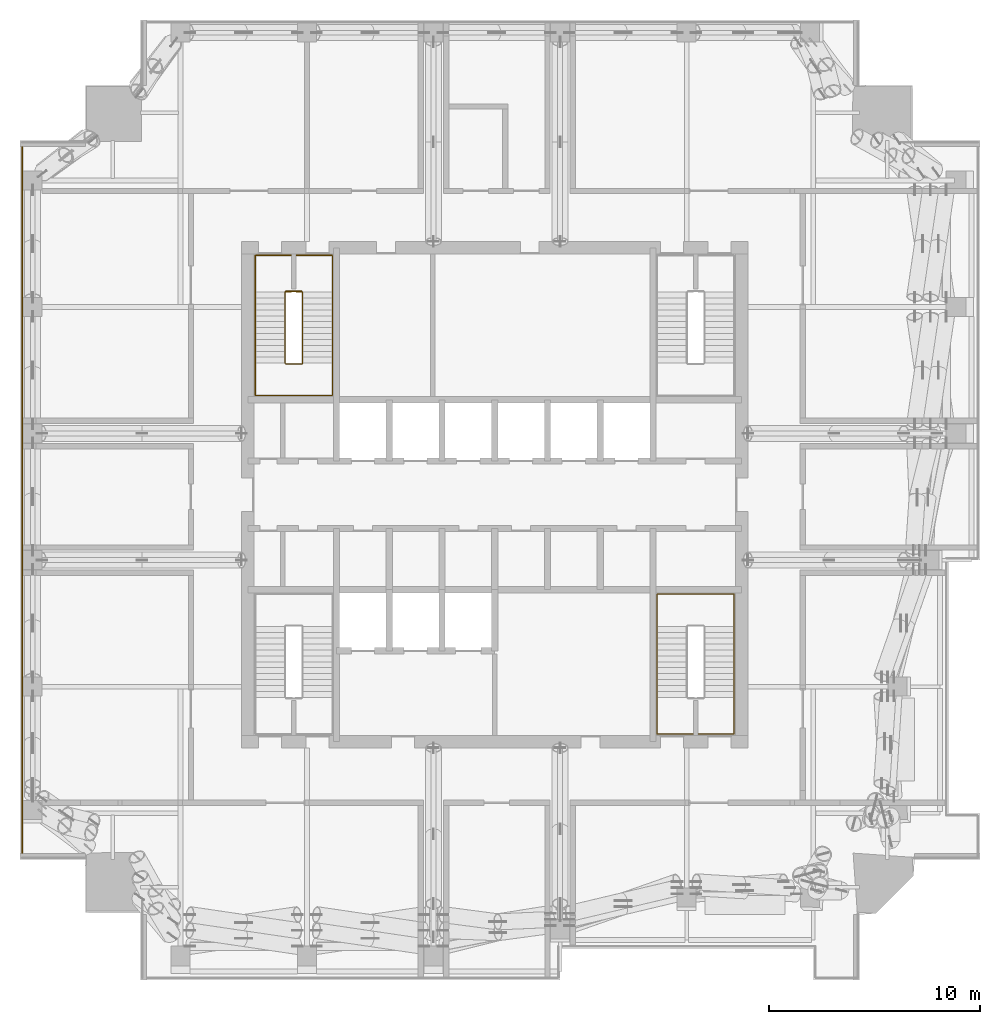
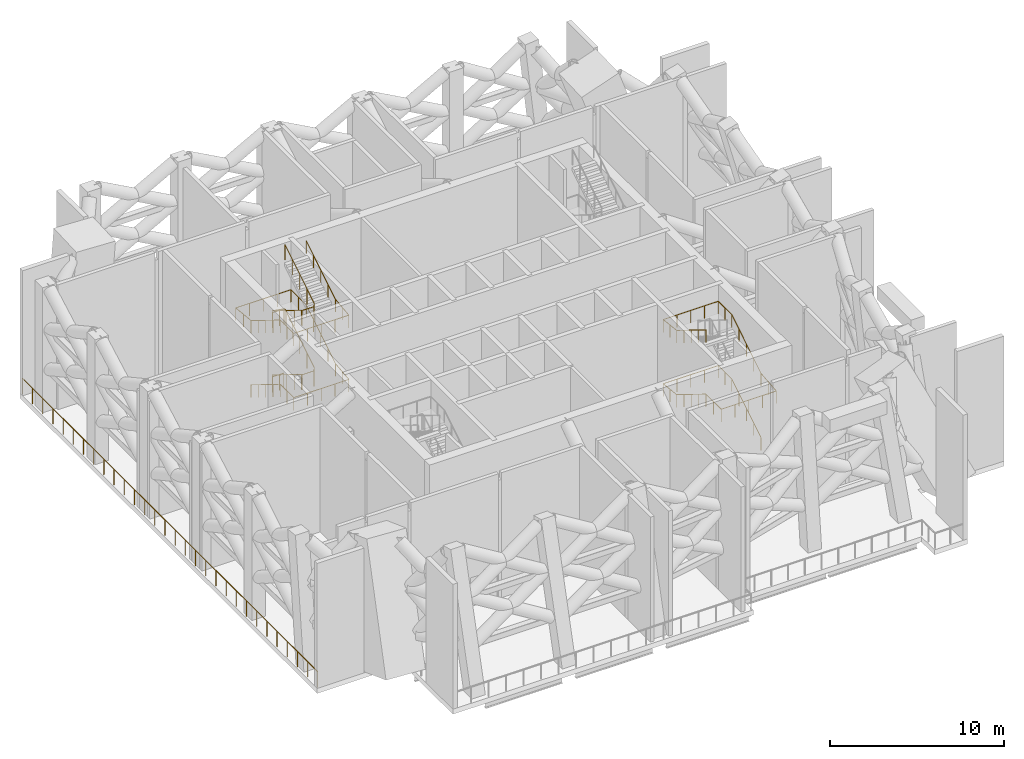
# One storey, part 16 of 18: 4 railings.
"""IFC4 building model written with IfcOpenShell, lengths in metres."""

from ifc_helpers import new_model, si_unit, direction, frame, origin, origin_2d, place, context, subcontext, project, spatial, circle, extrude, material, type_object, element, save


model = new_model("IFC4")

# Units and contexts
model_context = context("Model", 3, precision=1e-05, world=origin(), true_north=direction((0.0, 1.0)))
body_context = subcontext(model_context, "Body", "Model", "MODEL_VIEW")
ifc_project = project(units=[si_unit("LENGTHUNIT", "METRE"), si_unit("AREAUNIT", "SQUARE_METRE"), si_unit("VOLUMEUNIT", "CUBIC_METRE"), si_unit("PLANEANGLEUNIT", "RADIAN"), si_unit("MASSUNIT", "GRAM", prefix="KILO")], contexts=[model_context])

# Site, building, storey
site_placement = place(None, origin())
site = spatial("IfcSite", under=ifc_project, at=site_placement, CompositionType="ELEMENT")
building_placement = place(site_placement, origin())
building = spatial("IfcBuilding", under=site, at=building_placement, Name="Amberfall Residences", CompositionType="ELEMENT")
storey_placement = place(building_placement, frame((0.0, 0.0, 229.89990234375)))
storey = spatial("IfcBuildingStorey", under=building, at=storey_placement, Name="L62", CompositionType="ELEMENT", Elevation=229.89990234375)

# Railings
ifc_material_1 = material(Name="Bronze anodised aluminium and laminated glass", Category="aluminium")
railing_type_1 = type_object("IfcRailingType", Name="Refuge edge guard 1100", PredefinedType="GUARDRAIL", material=ifc_material_1)
railing_1_placement = place(storey_placement, frame((52.10009765625, 28.300048828125, 0.0)))
element("IfcRailing", 1, at=railing_1_placement, inside=storey, type_object=railing_type_1, Name="Refuge edge guard L62 8", PredefinedType="GUARDRAIL", context=body_context, shape_type="SweptSolid", body=[
    extrude(circle(Radius=0.02392578125, at=origin_2d()), frame((0.0, 0.0, 1.076171875), z_axis=(0.0, 1.0, 0.0), x_axis=(-1.0, 0.0, 0.0)), (0.0, 0.0, 1.0), 33.89990234375),
    extrude(circle(Radius=0.02099609375, at=origin_2d()), origin(), (0.0, 0.0, 1.0), 1.052001953125),
    extrude(circle(Radius=0.02099609375, at=origin_2d()), frame((0.0, 1.1689453125, 0.0)), (0.0, 0.0, 1.0), 1.052001953125),
    extrude(circle(Radius=0.02099609375, at=origin_2d()), frame((0.0, 2.337890625, 0.0)), (0.0, 0.0, 1.0), 1.052001953125),
    extrude(circle(Radius=0.02099609375, at=origin_2d()), frame((0.0, 3.5068359375, 0.0)), (0.0, 0.0, 1.0), 1.052001953125),
    extrude(circle(Radius=0.02099609375, at=origin_2d()), frame((0.0, 4.67578125, 0.0)), (0.0, 0.0, 1.0), 1.052001953125),
    extrude(circle(Radius=0.02099609375, at=origin_2d()), frame((0.0, 5.8447265625, 0.0)), (0.0, 0.0, 1.0), 1.052001953125),
    extrude(circle(Radius=0.02099609375, at=origin_2d()), frame((0.0, 7.013671875, 0.0)), (0.0, 0.0, 1.0), 1.052001953125),
    extrude(circle(Radius=0.02099609375, at=origin_2d()), frame((0.0, 8.1826171875, 0.0)), (0.0, 0.0, 1.0), 1.052001953125),
    extrude(circle(Radius=0.02099609375, at=origin_2d()), frame((0.0, 9.351806640625, 0.0)), (0.0, 0.0, 1.0), 1.052001953125),
    extrude(circle(Radius=0.02099609375, at=origin_2d()), frame((0.0, 10.520751953125, 0.0)), (0.0, 0.0, 1.0), 1.052001953125),
    extrude(circle(Radius=0.02099609375, at=origin_2d()), frame((0.0, 11.689697265625, 0.0)), (0.0, 0.0, 1.0), 1.052001953125),
    extrude(circle(Radius=0.02099609375, at=origin_2d()), frame((0.0, 12.858642578125, 0.0)), (0.0, 0.0, 1.0), 1.052001953125),
    extrude(circle(Radius=0.02099609375, at=origin_2d()), frame((0.0, 14.027587890625, 0.0)), (0.0, 0.0, 1.0), 1.052001953125),
    extrude(circle(Radius=0.02099609375, at=origin_2d()), frame((0.0, 15.196533203125, 0.0)), (0.0, 0.0, 1.0), 1.052001953125),
    extrude(circle(Radius=0.02099609375, at=origin_2d()), frame((0.0, 16.365478515625, 0.0)), (0.0, 0.0, 1.0), 1.052001953125),
    extrude(circle(Radius=0.02099609375, at=origin_2d()), frame((0.0, 17.534423828125, 0.0)), (0.0, 0.0, 1.0), 1.052001953125),
    extrude(circle(Radius=0.02099609375, at=origin_2d()), frame((0.0, 18.703369140625, 0.0)), (0.0, 0.0, 1.0), 1.052001953125),
    extrude(circle(Radius=0.02099609375, at=origin_2d()), frame((0.0, 19.872314453125, 0.0)), (0.0, 0.0, 1.0), 1.052001953125),
    extrude(circle(Radius=0.02099609375, at=origin_2d()), frame((0.0, 21.041259765625, 0.0)), (0.0, 0.0, 1.0), 1.052001953125),
    extrude(circle(Radius=0.02099609375, at=origin_2d()), frame((0.0, 22.210205078125, 0.0)), (0.0, 0.0, 1.0), 1.052001953125),
    extrude(circle(Radius=0.02099609375, at=origin_2d()), frame((0.0, 23.379150390625, 0.0)), (0.0, 0.0, 1.0), 1.052001953125),
    extrude(circle(Radius=0.02099609375, at=origin_2d()), frame((0.0, 24.548095703125, 0.0)), (0.0, 0.0, 1.0), 1.052001953125),
    extrude(circle(Radius=0.02099609375, at=origin_2d()), frame((0.0, 25.71728515625, 0.0)), (0.0, 0.0, 1.0), 1.052001953125),
    extrude(circle(Radius=0.02099609375, at=origin_2d()), frame((0.0, 26.88623046875, 0.0)), (0.0, 0.0, 1.0), 1.052001953125),
    extrude(circle(Radius=0.02099609375, at=origin_2d()), frame((0.0, 28.05517578125, 0.0)), (0.0, 0.0, 1.0), 1.052001953125),
    extrude(circle(Radius=0.02099609375, at=origin_2d()), frame((0.0, 29.22412109375, 0.0)), (0.0, 0.0, 1.0), 1.052001953125),
    extrude(circle(Radius=0.02099609375, at=origin_2d()), frame((0.0, 30.39306640625, 0.0)), (0.0, 0.0, 1.0), 1.052001953125),
    extrude(circle(Radius=0.02099609375, at=origin_2d()), frame((0.0, 31.56201171875, 0.0)), (0.0, 0.0, 1.0), 1.052001953125),
    extrude(circle(Radius=0.02099609375, at=origin_2d()), frame((0.0, 32.73095703125, 0.0)), (0.0, 0.0, 1.0), 1.052001953125),
    extrude(circle(Radius=0.02099609375, at=origin_2d()), frame((0.0, 33.89990234375, 0.0)), (0.0, 0.0, 1.0), 1.052001953125),
])
ifc_material_2 = material(Name="Stainless steel 316", Category="steel")
railing_type_2 = type_object("IfcRailingType", Name="Stair guard 1100", PredefinedType="GUARDRAIL", material=ifc_material_2)
railing_2_placement = place(storey_placement, frame((65.35009765625, 55.14990234375, 0.0)))
element("IfcRailing", 2, at=railing_2_placement, inside=storey, type_object=railing_type_2, Name="L62 stair 4 guard", PredefinedType="GUARDRAIL", context=body_context, shape_type="SweptSolid", body=[
    extrude(circle(Radius=0.02392578125, at=origin_2d()), frame((0.0, 0.0, 1.076171875), z_axis=(-1.0, 0.0, 0.0), x_axis=(0.0, -1.0, 0.0)), (0.0, 0.0, 1.0), 0.75),
    extrude(circle(Radius=0.02392578125, at=origin_2d()), frame((-0.75, 0.0, 1.076171875), z_axis=(-0.267723051232, -0.266417085129, 0.925929967433), x_axis=(0.705375805398, -0.708833529934, 0.0)), (0.0, 0.0, 1.0), 0.18701171875),
    extrude(circle(Radius=0.02392578125, at=origin_2d()), frame((-0.800048828125, -0.0498046875, 1.2490234375), z_axis=(0.0, -0.850623216509, 0.525775754039), x_axis=(1.0, 0.0, 0.0)), (0.0, 0.0, 1.0), 3.9501953125),
    extrude(circle(Radius=0.02392578125, at=origin_2d()), frame((-0.800048828125, -3.409912109375, 3.326171875), z_axis=(0.707106781187, -0.707106781187, 0.0), x_axis=(0.707106781187, 0.707106781187, 0.0)), (0.0, 0.0, 1.0), 0.07080078125),
    extrude(circle(Radius=0.02392578125, at=origin_2d()), frame((-0.75, -3.4599609375, 3.326171875), z_axis=(1.0, 0.0, 0.0), x_axis=(0.0, 1.0, 0.0)), (0.0, 0.0, 1.0), 0.75),
    extrude(circle(Radius=0.02392578125, at=origin_2d()), frame((0.0, -3.4599609375, 3.326171875), z_axis=(0.266417085129, 0.267723051232, 0.925929967433), x_axis=(-0.708833529934, 0.705375805398, 0.0)), (0.0, 0.0, 1.0), 0.18701171875),
    extrude(circle(Radius=0.02392578125, at=origin_2d()), frame((0.0498046875, -3.409912109375, 3.4990234375), z_axis=(0.0, 0.850623216509, 0.525775754039), x_axis=(-1.0, 0.0, 0.0)), (0.0, 0.0, 1.0), 3.9501953125),
    extrude(circle(Radius=0.02392578125, at=origin_2d()), frame((0.0498046875, -0.0498046875, 5.576171875), z_axis=(-0.998066777909, 0.062150678478, 0.0), x_axis=(-0.062150678478, -0.998066777909, 0.0)), (0.0, 0.0, 1.0), 0.80126953125),
    extrude(circle(Radius=0.02392578125, at=origin_2d()), frame((-0.75, 0.0, 5.576171875), z_axis=(1.0, 0.0, 0.0), x_axis=(0.0, 1.0, 0.0)), (0.0, 0.0, 1.0), 0.75),
    extrude(circle(Radius=0.02392578125, at=origin_2d()), frame((0.0, 0.0, 5.576171875), z_axis=(-0.975581703871, -0.06073197058, 0.211073368338), x_axis=(0.062131785979, -0.998067954185, 0.0)), (0.0, 0.0, 1.0), 0.820068359375),
    extrude(circle(Radius=0.02392578125, at=origin_2d()), frame((-0.800048828125, -0.0498046875, 5.7490234375), z_axis=(0.0, -0.850623216509, 0.525775754039), x_axis=(1.0, 0.0, 0.0)), (0.0, 0.0, 1.0), 3.9501953125),
    extrude(circle(Radius=0.02392578125, at=origin_2d()), frame((-0.800048828125, -3.409912109375, 7.826171875), z_axis=(0.707106781187, -0.707106781187, 0.0), x_axis=(0.707106781187, 0.707106781187, 0.0)), (0.0, 0.0, 1.0), 0.07080078125),
    extrude(circle(Radius=0.02392578125, at=origin_2d()), frame((-0.75, -3.4599609375, 7.826171875), z_axis=(1.0, 0.0, 0.0), x_axis=(0.0, 1.0, 0.0)), (0.0, 0.0, 1.0), 0.75),
    extrude(circle(Radius=0.02392578125, at=origin_2d()), frame((0.0, -3.4599609375, 7.826171875), z_axis=(0.266417085129, 0.267723051232, 0.925929967433), x_axis=(-0.708833529934, 0.705375805398, 0.0)), (0.0, 0.0, 1.0), 0.18701171875),
    extrude(circle(Radius=0.02392578125, at=origin_2d()), frame((0.0498046875, -3.409912109375, 7.9990234375), z_axis=(0.0, 0.850623216509, 0.525775754039), x_axis=(-1.0, 0.0, 0.0)), (0.0, 0.0, 1.0), 3.9501953125),
    extrude(circle(Radius=0.02099609375, at=origin_2d()), origin(), (0.0, 0.0, 1.0), 1.052001953125),
    extrude(circle(Radius=0.02099609375, at=origin_2d()), frame((-0.75, 0.0, 0.0)), (0.0, 0.0, 1.0), 1.052001953125),
    extrude(circle(Radius=0.02099609375, at=origin_2d()), frame((-0.800048828125, -0.0498046875, 0.173095703125)), (0.0, 0.0, 1.0), 1.052001953125),
    extrude(circle(Radius=0.02099609375, at=origin_2d()), frame((-0.800048828125, -0.889892578125, 0.6923828125)), (0.0, 0.0, 1.0), 1.052001953125),
    extrude(circle(Radius=0.02099609375, at=origin_2d()), frame((-0.800048828125, -1.72998046875, 1.21142578125)), (0.0, 0.0, 1.0), 1.052001953125),
    extrude(circle(Radius=0.02099609375, at=origin_2d()), frame((-0.800048828125, -2.56982421875, 1.730712890625)), (0.0, 0.0, 1.0), 1.052001953125),
    extrude(circle(Radius=0.02099609375, at=origin_2d()), frame((-0.800048828125, -3.409912109375, 2.25)), (0.0, 0.0, 1.0), 1.052001953125),
    extrude(circle(Radius=0.02099609375, at=origin_2d()), frame((-0.75, -3.4599609375, 2.25)), (0.0, 0.0, 1.0), 1.052001953125),
    extrude(circle(Radius=0.02099609375, at=origin_2d()), frame((0.0, -3.4599609375, 2.25)), (0.0, 0.0, 1.0), 1.052001953125),
    extrude(circle(Radius=0.02099609375, at=origin_2d()), frame((0.0498046875, -3.409912109375, 2.423095703125)), (0.0, 0.0, 1.0), 1.052001953125),
    extrude(circle(Radius=0.02099609375, at=origin_2d()), frame((0.0498046875, -2.56982421875, 2.9423828125)), (0.0, 0.0, 1.0), 1.052001953125),
    extrude(circle(Radius=0.02099609375, at=origin_2d()), frame((0.0498046875, -1.72998046875, 3.46142578125)), (0.0, 0.0, 1.0), 1.052001953125),
    extrude(circle(Radius=0.02099609375, at=origin_2d()), frame((0.0498046875, -0.889892578125, 3.980712890625)), (0.0, 0.0, 1.0), 1.052001953125),
    extrude(circle(Radius=0.02099609375, at=origin_2d()), frame((0.0498046875, -0.0498046875, 4.5)), (0.0, 0.0, 1.0), 1.052001953125),
    extrude(circle(Radius=0.02099609375, at=origin_2d()), frame((-0.75, 0.0, 4.5)), (0.0, 0.0, 1.0), 1.052001953125),
    extrude(circle(Radius=0.02099609375, at=origin_2d()), frame((0.0, 0.0, 4.5)), (0.0, 0.0, 1.0), 1.052001953125),
    extrude(circle(Radius=0.02099609375, at=origin_2d()), frame((-0.800048828125, -0.0498046875, 4.673095703125)), (0.0, 0.0, 1.0), 1.052001953125),
    extrude(circle(Radius=0.02099609375, at=origin_2d()), frame((-0.800048828125, -0.889892578125, 5.1923828125)), (0.0, 0.0, 1.0), 1.052001953125),
    extrude(circle(Radius=0.02099609375, at=origin_2d()), frame((-0.800048828125, -1.72998046875, 5.71142578125)), (0.0, 0.0, 1.0), 1.052001953125),
    extrude(circle(Radius=0.02099609375, at=origin_2d()), frame((-0.800048828125, -2.56982421875, 6.230712890625)), (0.0, 0.0, 1.0), 1.052001953125),
    extrude(circle(Radius=0.02099609375, at=origin_2d()), frame((-0.800048828125, -3.409912109375, 6.75)), (0.0, 0.0, 1.0), 1.052001953125),
    extrude(circle(Radius=0.02099609375, at=origin_2d()), frame((-0.75, -3.4599609375, 6.75)), (0.0, 0.0, 1.0), 1.052001953125),
    extrude(circle(Radius=0.02099609375, at=origin_2d()), frame((0.0, -3.4599609375, 6.75)), (0.0, 0.0, 1.0), 1.052001953125),
    extrude(circle(Radius=0.02099609375, at=origin_2d()), frame((0.0498046875, -3.409912109375, 6.923095703125)), (0.0, 0.0, 1.0), 1.052001953125),
    extrude(circle(Radius=0.02099609375, at=origin_2d()), frame((0.0498046875, -2.56982421875, 7.4423828125)), (0.0, 0.0, 1.0), 1.052001953125),
    extrude(circle(Radius=0.02099609375, at=origin_2d()), frame((0.0498046875, -1.72998046875, 7.96142578125)), (0.0, 0.0, 1.0), 1.052001953125),
    extrude(circle(Radius=0.02099609375, at=origin_2d()), frame((0.0498046875, -0.889892578125, 8.480712890625)), (0.0, 0.0, 1.0), 1.052001953125),
    extrude(circle(Radius=0.02099609375, at=origin_2d()), frame((0.0498046875, -0.0498046875, 9.0)), (0.0, 0.0, 1.0), 1.052001953125),
])
railing_type_3 = type_object("IfcRailingType", Name="Stair handrail 900", PredefinedType="HANDRAIL", material=ifc_material_2)
railing_3_placement = place(storey_placement, frame((85.85009765625, 35.89990234375, 0.173095703125)))
element("IfcRailing", 3, at=railing_3_placement, inside=storey, type_object=railing_type_3, Name="L62 stair 2 handrail", PredefinedType="HANDRAIL", context=body_context, shape_type="SweptSolid", body=[
    extrude(circle(Radius=0.02392578125, at=origin_2d()), frame((0.0, 0.0, 0.8759765625), z_axis=(0.0, 0.850623216509, 0.525775754039), x_axis=(-1.0, 0.0, 0.0)), (0.0, 0.0, 1.0), 3.9501953125),
    extrude(circle(Radius=0.02392578125, at=origin_2d()), frame((0.0, 3.360107421875, 2.95263671875), z_axis=(0.0, 1.0, 0.0), x_axis=(-1.0, 0.0, 0.0)), (0.0, 0.0, 1.0), 1.5400390625),
    extrude(circle(Radius=0.02392578125, at=origin_2d()), frame((0.0, 4.900146484375, 2.95263671875), z_axis=(-1.0, 0.0, 0.0), x_axis=(0.0, -1.0, 0.0)), (0.0, 0.0, 1.0), 3.650146484375),
    extrude(circle(Radius=0.02392578125, at=origin_2d()), frame((-3.650146484375, 4.900146484375, 2.95263671875), z_axis=(0.0, -0.993742686923, 0.111693653302), x_axis=(1.0, 0.0, 0.0)), (0.0, 0.0, 1.0), 1.5498046875),
    extrude(circle(Radius=0.02392578125, at=origin_2d()), frame((-3.650146484375, 3.360107421875, 3.1259765625), z_axis=(0.0, -0.850623216509, 0.525775754039), x_axis=(1.0, 0.0, 0.0)), (0.0, 0.0, 1.0), 3.9501953125),
    extrude(circle(Radius=0.02392578125, at=origin_2d()), frame((-3.650146484375, 0.0, 5.20263671875), z_axis=(0.0, -1.0, 0.0), x_axis=(1.0, 0.0, 0.0)), (0.0, 0.0, 1.0), 1.75),
    extrude(circle(Radius=0.02392578125, at=origin_2d()), frame((-3.650146484375, -1.75, 5.20263671875), z_axis=(1.0, 0.0, 0.0), x_axis=(0.0, 1.0, 0.0)), (0.0, 0.0, 1.0), 3.650146484375),
    extrude(circle(Radius=0.02392578125, at=origin_2d()), frame((0.0, -1.75, 5.20263671875), z_axis=(0.0, 0.995143828942, 0.098431497589), x_axis=(-1.0, 0.0, 0.0)), (0.0, 0.0, 1.0), 1.758544921875),
    extrude(circle(Radius=0.02392578125, at=origin_2d()), frame((0.0, 0.0, 5.3759765625), z_axis=(0.0, 0.850623216509, 0.525775754039), x_axis=(-1.0, 0.0, 0.0)), (0.0, 0.0, 1.0), 3.9501953125),
    extrude(circle(Radius=0.02392578125, at=origin_2d()), frame((0.0, 3.360107421875, 7.45263671875), z_axis=(0.0, 1.0, 0.0), x_axis=(-1.0, 0.0, 0.0)), (0.0, 0.0, 1.0), 1.5400390625),
    extrude(circle(Radius=0.02392578125, at=origin_2d()), frame((0.0, 4.900146484375, 7.45263671875), z_axis=(-1.0, 0.0, 0.0), x_axis=(0.0, -1.0, 0.0)), (0.0, 0.0, 1.0), 3.650146484375),
    extrude(circle(Radius=0.02392578125, at=origin_2d()), frame((-3.650146484375, 4.900146484375, 7.45263671875), z_axis=(0.0, -0.993742686923, 0.111693653302), x_axis=(1.0, 0.0, 0.0)), (0.0, 0.0, 1.0), 1.5498046875),
    extrude(circle(Radius=0.02392578125, at=origin_2d()), frame((-3.650146484375, 3.360107421875, 7.6259765625), z_axis=(0.0, -0.850623216509, 0.525775754039), x_axis=(1.0, 0.0, 0.0)), (0.0, 0.0, 1.0), 3.9501953125),
    extrude(circle(Radius=0.02099609375, at=origin_2d()), origin(), (0.0, 0.0, 1.0), 0.851806640625),
    extrude(circle(Radius=0.02099609375, at=origin_2d()), frame((0.0, 0.840087890625, 0.519287109375)), (0.0, 0.0, 1.0), 0.851806640625),
    extrude(circle(Radius=0.02099609375, at=origin_2d()), frame((0.0, 1.68017578125, 1.03857421875)), (0.0, 0.0, 1.0), 0.851806640625),
    extrude(circle(Radius=0.02099609375, at=origin_2d()), frame((0.0, 2.52001953125, 1.5576171875)), (0.0, 0.0, 1.0), 0.851806640625),
    extrude(circle(Radius=0.02099609375, at=origin_2d()), frame((0.0, 3.360107421875, 2.076904296875)), (0.0, 0.0, 1.0), 0.851806640625),
    extrude(circle(Radius=0.02099609375, at=origin_2d()), frame((0.0, 4.130126953125, 2.076904296875)), (0.0, 0.0, 1.0), 0.851806640625),
    extrude(circle(Radius=0.02099609375, at=origin_2d()), frame((0.0, 4.900146484375, 2.076904296875)), (0.0, 0.0, 1.0), 0.851806640625),
    extrude(circle(Radius=0.02099609375, at=origin_2d()), frame((-0.91259765625, 4.900146484375, 2.076904296875)), (0.0, 0.0, 1.0), 0.851806640625),
    extrude(circle(Radius=0.02099609375, at=origin_2d()), frame((-1.8251953125, 4.900146484375, 2.076904296875)), (0.0, 0.0, 1.0), 0.851806640625),
    extrude(circle(Radius=0.02099609375, at=origin_2d()), frame((-2.737548828125, 4.900146484375, 2.076904296875)), (0.0, 0.0, 1.0), 0.851806640625),
    extrude(circle(Radius=0.02099609375, at=origin_2d()), frame((-3.650146484375, 4.900146484375, 2.076904296875)), (0.0, 0.0, 1.0), 0.851806640625),
    extrude(circle(Radius=0.02099609375, at=origin_2d()), frame((-3.650146484375, 4.130126953125, 2.16357421875)), (0.0, 0.0, 1.0), 0.851806640625),
    extrude(circle(Radius=0.02099609375, at=origin_2d()), frame((-3.650146484375, 3.360107421875, 2.25)), (0.0, 0.0, 1.0), 0.851806640625),
    extrude(circle(Radius=0.02099609375, at=origin_2d()), frame((-3.650146484375, 2.52001953125, 2.769287109375)), (0.0, 0.0, 1.0), 0.851806640625),
    extrude(circle(Radius=0.02099609375, at=origin_2d()), frame((-3.650146484375, 1.68017578125, 3.28857421875)), (0.0, 0.0, 1.0), 0.851806640625),
    extrude(circle(Radius=0.02099609375, at=origin_2d()), frame((-3.650146484375, 0.840087890625, 3.8076171875)), (0.0, 0.0, 1.0), 0.851806640625),
    extrude(circle(Radius=0.02099609375, at=origin_2d()), frame((-3.650146484375, 0.0, 4.326904296875)), (0.0, 0.0, 1.0), 0.851806640625),
    extrude(circle(Radius=0.02099609375, at=origin_2d()), frame((-3.650146484375, -0.875, 4.326904296875)), (0.0, 0.0, 1.0), 0.851806640625),
    extrude(circle(Radius=0.02099609375, at=origin_2d()), frame((-3.650146484375, -1.75, 4.326904296875)), (0.0, 0.0, 1.0), 0.851806640625),
    extrude(circle(Radius=0.02099609375, at=origin_2d()), frame((-2.737548828125, -1.75, 4.326904296875)), (0.0, 0.0, 1.0), 0.851806640625),
    extrude(circle(Radius=0.02099609375, at=origin_2d()), frame((-1.8251953125, -1.75, 4.326904296875)), (0.0, 0.0, 1.0), 0.851806640625),
    extrude(circle(Radius=0.02099609375, at=origin_2d()), frame((-0.91259765625, -1.75, 4.326904296875)), (0.0, 0.0, 1.0), 0.851806640625),
    extrude(circle(Radius=0.02099609375, at=origin_2d()), frame((0.0, -1.75, 4.326904296875)), (0.0, 0.0, 1.0), 0.851806640625),
    extrude(circle(Radius=0.02099609375, at=origin_2d()), frame((0.0, -0.875, 4.41357421875)), (0.0, 0.0, 1.0), 0.851806640625),
    extrude(circle(Radius=0.02099609375, at=origin_2d()), frame((0.0, 0.0, 4.5)), (0.0, 0.0, 1.0), 0.851806640625),
    extrude(circle(Radius=0.02099609375, at=origin_2d()), frame((0.0, 0.840087890625, 5.019287109375)), (0.0, 0.0, 1.0), 0.851806640625),
    extrude(circle(Radius=0.02099609375, at=origin_2d()), frame((0.0, 1.68017578125, 5.53857421875)), (0.0, 0.0, 1.0), 0.851806640625),
    extrude(circle(Radius=0.02099609375, at=origin_2d()), frame((0.0, 2.52001953125, 6.0576171875)), (0.0, 0.0, 1.0), 0.851806640625),
    extrude(circle(Radius=0.02099609375, at=origin_2d()), frame((0.0, 3.360107421875, 6.576904296875)), (0.0, 0.0, 1.0), 0.851806640625),
    extrude(circle(Radius=0.02099609375, at=origin_2d()), frame((0.0, 4.130126953125, 6.576904296875)), (0.0, 0.0, 1.0), 0.851806640625),
    extrude(circle(Radius=0.02099609375, at=origin_2d()), frame((0.0, 4.900146484375, 6.576904296875)), (0.0, 0.0, 1.0), 0.851806640625),
    extrude(circle(Radius=0.02099609375, at=origin_2d()), frame((-0.91259765625, 4.900146484375, 6.576904296875)), (0.0, 0.0, 1.0), 0.851806640625),
    extrude(circle(Radius=0.02099609375, at=origin_2d()), frame((-1.8251953125, 4.900146484375, 6.576904296875)), (0.0, 0.0, 1.0), 0.851806640625),
    extrude(circle(Radius=0.02099609375, at=origin_2d()), frame((-2.737548828125, 4.900146484375, 6.576904296875)), (0.0, 0.0, 1.0), 0.851806640625),
    extrude(circle(Radius=0.02099609375, at=origin_2d()), frame((-3.650146484375, 4.900146484375, 6.576904296875)), (0.0, 0.0, 1.0), 0.851806640625),
    extrude(circle(Radius=0.02099609375, at=origin_2d()), frame((-3.650146484375, 4.130126953125, 6.66357421875)), (0.0, 0.0, 1.0), 0.851806640625),
    extrude(circle(Radius=0.02099609375, at=origin_2d()), frame((-3.650146484375, 3.360107421875, 6.75)), (0.0, 0.0, 1.0), 0.851806640625),
    extrude(circle(Radius=0.02099609375, at=origin_2d()), frame((-3.650146484375, 2.52001953125, 7.269287109375)), (0.0, 0.0, 1.0), 0.851806640625),
    extrude(circle(Radius=0.02099609375, at=origin_2d()), frame((-3.650146484375, 1.68017578125, 7.78857421875)), (0.0, 0.0, 1.0), 0.851806640625),
    extrude(circle(Radius=0.02099609375, at=origin_2d()), frame((-3.650146484375, 0.840087890625, 8.3076171875)), (0.0, 0.0, 1.0), 0.851806640625),
    extrude(circle(Radius=0.02099609375, at=origin_2d()), frame((-3.650146484375, 0.0, 8.826904296875)), (0.0, 0.0, 1.0), 0.851806640625),
])
railing_4_placement = place(storey_placement, frame((63.14990234375, 55.10009765625, 0.173095703125)))
element("IfcRailing", 4, at=railing_4_placement, inside=storey, type_object=railing_type_3, Name="L62 stair 4 handrail", PredefinedType="HANDRAIL", context=body_context, shape_type="SweptSolid", body=[
    extrude(circle(Radius=0.02392578125, at=origin_2d()), frame((0.0, 0.0, 0.8759765625), z_axis=(0.0, -0.850623216509, 0.525775754039), x_axis=(1.0, 0.0, 0.0)), (0.0, 0.0, 1.0), 3.9501953125),
    extrude(circle(Radius=0.02392578125, at=origin_2d()), frame((0.0, -3.360107421875, 2.95263671875), z_axis=(0.0, -1.0, 0.0), x_axis=(1.0, 0.0, 0.0)), (0.0, 0.0, 1.0), 1.5400390625),
    extrude(circle(Radius=0.02392578125, at=origin_2d()), frame((0.0, -4.900146484375, 2.95263671875), z_axis=(1.0, 0.0, 0.0), x_axis=(0.0, 1.0, 0.0)), (0.0, 0.0, 1.0), 3.650146484375),
    extrude(circle(Radius=0.02392578125, at=origin_2d()), frame((3.650146484375, -4.900146484375, 2.95263671875), z_axis=(0.0, 0.993742686923, 0.111693653302), x_axis=(-1.0, 0.0, 0.0)), (0.0, 0.0, 1.0), 1.5498046875),
    extrude(circle(Radius=0.02392578125, at=origin_2d()), frame((3.650146484375, -3.360107421875, 3.1259765625), z_axis=(0.0, 0.850623216509, 0.525775754039), x_axis=(-1.0, 0.0, 0.0)), (0.0, 0.0, 1.0), 3.9501953125),
    extrude(circle(Radius=0.02392578125, at=origin_2d()), frame((3.650146484375, 0.0, 5.20263671875), z_axis=(0.0, 1.0, 0.0), x_axis=(-1.0, 0.0, 0.0)), (0.0, 0.0, 1.0), 1.75),
    extrude(circle(Radius=0.02392578125, at=origin_2d()), frame((3.650146484375, 1.75, 5.20263671875), z_axis=(-1.0, 0.0, 0.0), x_axis=(0.0, -1.0, 0.0)), (0.0, 0.0, 1.0), 3.650146484375),
    extrude(circle(Radius=0.02392578125, at=origin_2d()), frame((0.0, 1.75, 5.20263671875), z_axis=(0.0, -0.995143828942, 0.098431497589), x_axis=(1.0, 0.0, 0.0)), (0.0, 0.0, 1.0), 1.758544921875),
    extrude(circle(Radius=0.02392578125, at=origin_2d()), frame((0.0, 0.0, 5.3759765625), z_axis=(0.0, -0.850623216509, 0.525775754039), x_axis=(1.0, 0.0, 0.0)), (0.0, 0.0, 1.0), 3.9501953125),
    extrude(circle(Radius=0.02392578125, at=origin_2d()), frame((0.0, -3.360107421875, 7.45263671875), z_axis=(0.0, -1.0, 0.0), x_axis=(1.0, 0.0, 0.0)), (0.0, 0.0, 1.0), 1.5400390625),
    extrude(circle(Radius=0.02392578125, at=origin_2d()), frame((0.0, -4.900146484375, 7.45263671875), z_axis=(1.0, 0.0, 0.0), x_axis=(0.0, 1.0, 0.0)), (0.0, 0.0, 1.0), 3.650146484375),
    extrude(circle(Radius=0.02392578125, at=origin_2d()), frame((3.650146484375, -4.900146484375, 7.45263671875), z_axis=(0.0, 0.993742686923, 0.111693653302), x_axis=(-1.0, 0.0, 0.0)), (0.0, 0.0, 1.0), 1.5498046875),
    extrude(circle(Radius=0.02392578125, at=origin_2d()), frame((3.650146484375, -3.360107421875, 7.6259765625), z_axis=(0.0, 0.850623216509, 0.525775754039), x_axis=(-1.0, 0.0, 0.0)), (0.0, 0.0, 1.0), 3.9501953125),
    extrude(circle(Radius=0.02099609375, at=origin_2d()), origin(), (0.0, 0.0, 1.0), 0.851806640625),
    extrude(circle(Radius=0.02099609375, at=origin_2d()), frame((0.0, -0.840087890625, 0.519287109375)), (0.0, 0.0, 1.0), 0.851806640625),
    extrude(circle(Radius=0.02099609375, at=origin_2d()), frame((0.0, -1.68017578125, 1.03857421875)), (0.0, 0.0, 1.0), 0.851806640625),
    extrude(circle(Radius=0.02099609375, at=origin_2d()), frame((0.0, -2.52001953125, 1.5576171875)), (0.0, 0.0, 1.0), 0.851806640625),
    extrude(circle(Radius=0.02099609375, at=origin_2d()), frame((0.0, -3.360107421875, 2.076904296875)), (0.0, 0.0, 1.0), 0.851806640625),
    extrude(circle(Radius=0.02099609375, at=origin_2d()), frame((0.0, -4.130126953125, 2.076904296875)), (0.0, 0.0, 1.0), 0.851806640625),
    extrude(circle(Radius=0.02099609375, at=origin_2d()), frame((0.0, -4.900146484375, 2.076904296875)), (0.0, 0.0, 1.0), 0.851806640625),
    extrude(circle(Radius=0.02099609375, at=origin_2d()), frame((0.91259765625, -4.900146484375, 2.076904296875)), (0.0, 0.0, 1.0), 0.851806640625),
    extrude(circle(Radius=0.02099609375, at=origin_2d()), frame((1.8251953125, -4.900146484375, 2.076904296875)), (0.0, 0.0, 1.0), 0.851806640625),
    extrude(circle(Radius=0.02099609375, at=origin_2d()), frame((2.737548828125, -4.900146484375, 2.076904296875)), (0.0, 0.0, 1.0), 0.851806640625),
    extrude(circle(Radius=0.02099609375, at=origin_2d()), frame((3.650146484375, -4.900146484375, 2.076904296875)), (0.0, 0.0, 1.0), 0.851806640625),
    extrude(circle(Radius=0.02099609375, at=origin_2d()), frame((3.650146484375, -4.130126953125, 2.16357421875)), (0.0, 0.0, 1.0), 0.851806640625),
    extrude(circle(Radius=0.02099609375, at=origin_2d()), frame((3.650146484375, -3.360107421875, 2.25)), (0.0, 0.0, 1.0), 0.851806640625),
    extrude(circle(Radius=0.02099609375, at=origin_2d()), frame((3.650146484375, -2.52001953125, 2.769287109375)), (0.0, 0.0, 1.0), 0.851806640625),
    extrude(circle(Radius=0.02099609375, at=origin_2d()), frame((3.650146484375, -1.68017578125, 3.28857421875)), (0.0, 0.0, 1.0), 0.851806640625),
    extrude(circle(Radius=0.02099609375, at=origin_2d()), frame((3.650146484375, -0.840087890625, 3.8076171875)), (0.0, 0.0, 1.0), 0.851806640625),
    extrude(circle(Radius=0.02099609375, at=origin_2d()), frame((3.650146484375, 0.0, 4.326904296875)), (0.0, 0.0, 1.0), 0.851806640625),
    extrude(circle(Radius=0.02099609375, at=origin_2d()), frame((3.650146484375, 0.875, 4.326904296875)), (0.0, 0.0, 1.0), 0.851806640625),
    extrude(circle(Radius=0.02099609375, at=origin_2d()), frame((3.650146484375, 1.75, 4.326904296875)), (0.0, 0.0, 1.0), 0.851806640625),
    extrude(circle(Radius=0.02099609375, at=origin_2d()), frame((2.737548828125, 1.75, 4.326904296875)), (0.0, 0.0, 1.0), 0.851806640625),
    extrude(circle(Radius=0.02099609375, at=origin_2d()), frame((1.8251953125, 1.75, 4.326904296875)), (0.0, 0.0, 1.0), 0.851806640625),
    extrude(circle(Radius=0.02099609375, at=origin_2d()), frame((0.91259765625, 1.75, 4.326904296875)), (0.0, 0.0, 1.0), 0.851806640625),
    extrude(circle(Radius=0.02099609375, at=origin_2d()), frame((0.0, 1.75, 4.326904296875)), (0.0, 0.0, 1.0), 0.851806640625),
    extrude(circle(Radius=0.02099609375, at=origin_2d()), frame((0.0, 0.875, 4.41357421875)), (0.0, 0.0, 1.0), 0.851806640625),
    extrude(circle(Radius=0.02099609375, at=origin_2d()), frame((0.0, 0.0, 4.5)), (0.0, 0.0, 1.0), 0.851806640625),
    extrude(circle(Radius=0.02099609375, at=origin_2d()), frame((0.0, -0.840087890625, 5.019287109375)), (0.0, 0.0, 1.0), 0.851806640625),
    extrude(circle(Radius=0.02099609375, at=origin_2d()), frame((0.0, -1.68017578125, 5.53857421875)), (0.0, 0.0, 1.0), 0.851806640625),
    extrude(circle(Radius=0.02099609375, at=origin_2d()), frame((0.0, -2.52001953125, 6.0576171875)), (0.0, 0.0, 1.0), 0.851806640625),
    extrude(circle(Radius=0.02099609375, at=origin_2d()), frame((0.0, -3.360107421875, 6.576904296875)), (0.0, 0.0, 1.0), 0.851806640625),
    extrude(circle(Radius=0.02099609375, at=origin_2d()), frame((0.0, -4.130126953125, 6.576904296875)), (0.0, 0.0, 1.0), 0.851806640625),
    extrude(circle(Radius=0.02099609375, at=origin_2d()), frame((0.0, -4.900146484375, 6.576904296875)), (0.0, 0.0, 1.0), 0.851806640625),
    extrude(circle(Radius=0.02099609375, at=origin_2d()), frame((0.91259765625, -4.900146484375, 6.576904296875)), (0.0, 0.0, 1.0), 0.851806640625),
    extrude(circle(Radius=0.02099609375, at=origin_2d()), frame((1.8251953125, -4.900146484375, 6.576904296875)), (0.0, 0.0, 1.0), 0.851806640625),
    extrude(circle(Radius=0.02099609375, at=origin_2d()), frame((2.737548828125, -4.900146484375, 6.576904296875)), (0.0, 0.0, 1.0), 0.851806640625),
    extrude(circle(Radius=0.02099609375, at=origin_2d()), frame((3.650146484375, -4.900146484375, 6.576904296875)), (0.0, 0.0, 1.0), 0.851806640625),
    extrude(circle(Radius=0.02099609375, at=origin_2d()), frame((3.650146484375, -4.130126953125, 6.66357421875)), (0.0, 0.0, 1.0), 0.851806640625),
    extrude(circle(Radius=0.02099609375, at=origin_2d()), frame((3.650146484375, -3.360107421875, 6.75)), (0.0, 0.0, 1.0), 0.851806640625),
    extrude(circle(Radius=0.02099609375, at=origin_2d()), frame((3.650146484375, -2.52001953125, 7.269287109375)), (0.0, 0.0, 1.0), 0.851806640625),
    extrude(circle(Radius=0.02099609375, at=origin_2d()), frame((3.650146484375, -1.68017578125, 7.78857421875)), (0.0, 0.0, 1.0), 0.851806640625),
    extrude(circle(Radius=0.02099609375, at=origin_2d()), frame((3.650146484375, -0.840087890625, 8.3076171875)), (0.0, 0.0, 1.0), 0.851806640625),
    extrude(circle(Radius=0.02099609375, at=origin_2d()), frame((3.650146484375, 0.0, 8.826904296875)), (0.0, 0.0, 1.0), 0.851806640625),
])

save(model, "model.ifc")
